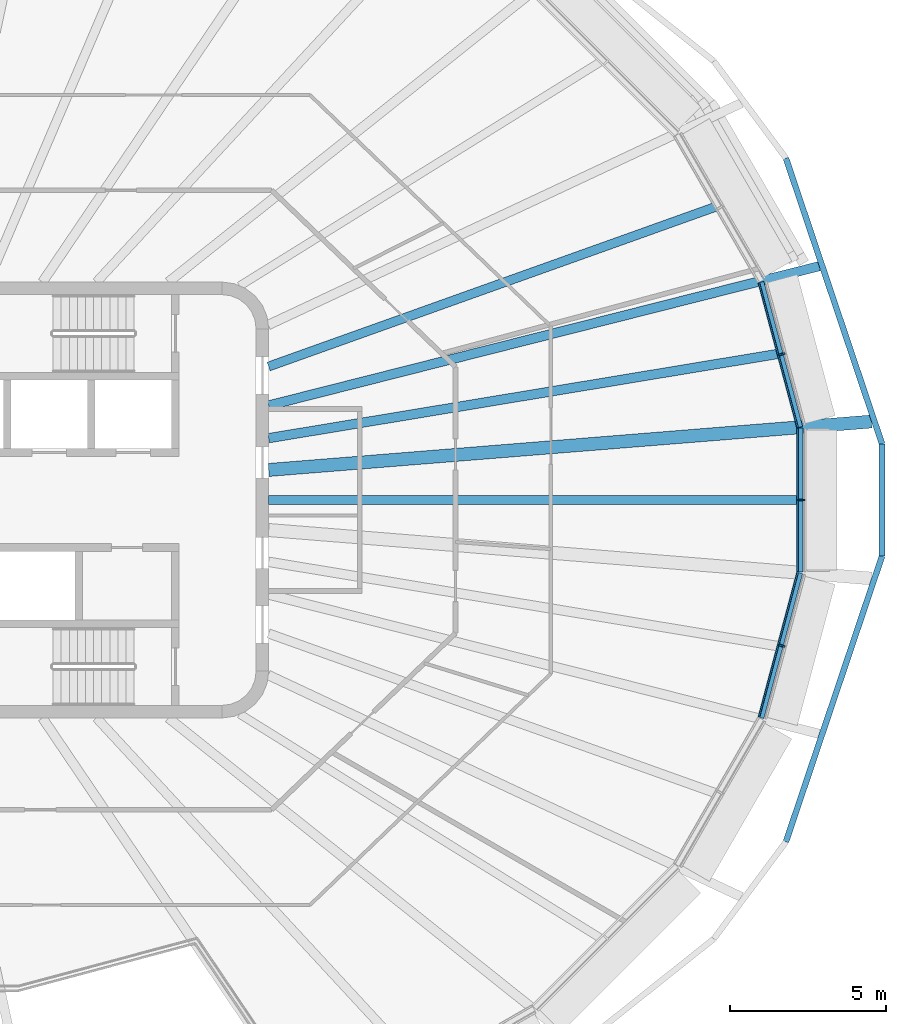
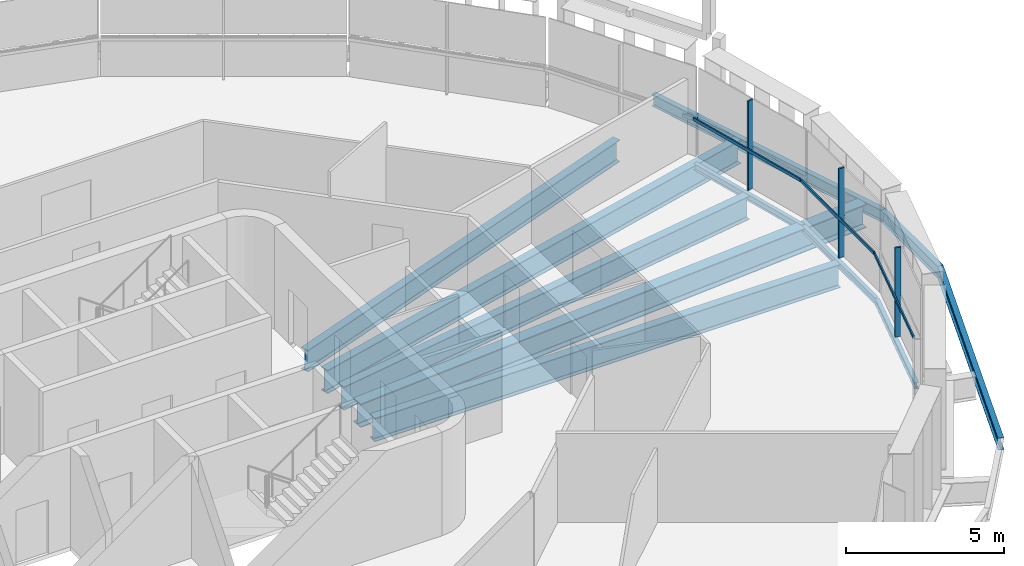
# One storey, part 4 of 19: 11 beams, 6 members, 3 elements without a shape of their own.
"""IFC4 building model written with IfcOpenShell, lengths in metres."""

import ifcopenshell
import ifcopenshell.guid

model = None  # the IFC model being written
_history = None  # IfcOwnerHistory: only IFC2X3 demands one
_inside = {}  # id of a spatial element -> (the spatial element, [elements in it])
_under = {}  # id of a project, library or spatial element -> (it, [spatial elements below it])
_declared = {}  # id of a project -> (the project, [libraries it declares])
_typed = {}  # id of a type object -> (the type object, [elements of that type])
_made_of = {}  # id of a material, layer set ... -> (it, [elements and type objects made of it])


def new_model(schema):
    """Start an empty IFC model of exactly this schema.

    Asked for "IFC4X3", IfcOpenShell would pick the latest addendum, in which some entities
    have other attributes; the version numbers below select the first issue.
    IFC2X3 requires an IfcOwnerHistory on every rooted entity: one is made here for all.
    """
    global model, _history
    if schema == "IFC4X3":
        model = ifcopenshell.file(schema_version=(4, 3, 0, 0))
    else:
        model = ifcopenshell.file(schema=schema)
    _inside.clear()
    _under.clear()
    _declared.clear()
    _typed.clear()
    _made_of.clear()
    _history = None
    if model.schema == "IFC2X3":
        org = make("IfcOrganization", Name="unknown")
        user = make(
            "IfcPersonAndOrganization",
            ThePerson=make("IfcPerson", FamilyName="unknown"),
            TheOrganization=org,
        )
        app = make(
            "IfcApplication",
            ApplicationDeveloper=org,
            Version="unknown",
            ApplicationFullName="unknown",
            ApplicationIdentifier="unknown",
        )
        _history = make(
            "IfcOwnerHistory",
            OwningUser=user,
            OwningApplication=app,
            ChangeAction="ADDED",
            CreationDate=0,
        )
    return model


def make(cls, **values):
    """One entity of the class cls with the attributes given. An attribute that is None is left unset."""
    return model.create_entity(
        cls, **{name: value for name, value in values.items() if value is not None}
    )


def rooted(cls, **values):
    """An entity with a GlobalId (a new one), such as an element, a storey or a relation."""
    return make(cls, GlobalId=ifcopenshell.guid.new(), OwnerHistory=_history, **values)


def si_unit(unit_type, name, prefix=None):
    """IfcSIUnit, for example si_unit("LENGTHUNIT", "METRE", prefix="MILLI")."""
    return make("IfcSIUnit", UnitType=unit_type, Prefix=prefix, Name=name)


def assignment(units):
    """IfcUnitAssignment: the units of a project."""
    return None if units is None else make("IfcUnitAssignment", Units=units)


def point(xyz):
    """IfcCartesianPoint."""
    return None if xyz is None else make("IfcCartesianPoint", Coordinates=xyz)


def direction(xyz):
    """IfcDirection."""
    return None if xyz is None else make("IfcDirection", DirectionRatios=xyz)


def frame(location, z_axis=None, x_axis=None):
    """IfcAxis2Placement3D, a coordinate frame: its origin and axes. An axis left out is left unset."""
    return make(
        "IfcAxis2Placement3D",
        Location=point(location),
        Axis=direction(z_axis),
        RefDirection=direction(x_axis),
    )


def frame_2d(location, x_axis=None):
    """IfcAxis2Placement2D, a coordinate frame in the plane: its origin and x axis."""
    return make(
        "IfcAxis2Placement2D", Location=point(location), RefDirection=direction(x_axis)
    )


def origin():
    """The frame at (0, 0, 0) with its axes left unset."""
    return frame((0.0, 0.0, 0.0))


def origin_2d():
    """The frame at (0, 0) in the plane with its x axis left unset."""
    return frame_2d((0.0, 0.0))


def place(relative_to, where):
    """IfcLocalPlacement: puts the frame where relative to a parent placement (None: the world)."""
    return make(
        "IfcLocalPlacement", PlacementRelTo=relative_to, RelativePlacement=where
    )


def context(
    kind, dimensions, precision=None, world=None, true_north=None, identifier=None
):
    """IfcGeometricRepresentationContext, for example the 3D "Model" context."""
    return make(
        "IfcGeometricRepresentationContext",
        ContextIdentifier=identifier,
        ContextType=kind,
        CoordinateSpaceDimension=dimensions,
        Precision=precision,
        WorldCoordinateSystem=world,
        TrueNorth=true_north,
    )


def subcontext(parent, identifier, kind, view, scale=None):
    """IfcGeometricRepresentationSubContext, for example "Body" below "Model"."""
    return make(
        "IfcGeometricRepresentationSubContext",
        ContextIdentifier=identifier,
        ContextType=kind,
        ParentContext=parent,
        TargetScale=scale,
        TargetView=view,
    )


def project(units=None, contexts=None):
    """IfcProject with its units and contexts."""
    return rooted(
        "IfcProject",
        Name="project",
        RepresentationContexts=contexts,
        UnitsInContext=assignment(units),
    )


def spatial(cls, under=None, at=None, **own):
    """A site, building, storey or space (cls), placed at a placement, below another one or the project."""
    s = rooted(cls, ObjectPlacement=at, **own)
    if under is not None:
        _under.setdefault(under.id(), (under, []))[1].append(s)
    return s


def profile(cls, at=None, kind="AREA", **sizes):
    """A parametric profile (cls). Its sizes go by their IFC names, for example OverallWidth=200.0."""
    return make(cls, ProfileType=kind, Position=at, **sizes)


def rectangle(**sizes):
    """IfcRectangleProfileDef."""
    return profile("IfcRectangleProfileDef", **sizes)


def i_section(**sizes):
    """IfcIShapeProfileDef."""
    return profile("IfcIShapeProfileDef", **sizes)


def extrude(swept, where, along, depth):
    """IfcExtrudedAreaSolid: the profile swept, set in the frame where, extruded along a direction by depth."""
    return make(
        "IfcExtrudedAreaSolid",
        SweptArea=swept,
        Position=where,
        ExtrudedDirection=direction(along),
        Depth=depth,
    )


def shape(context_of_items, identifier, shape_type, items):
    """IfcShapeRepresentation: the items that make up one representation, for example the "Body"."""
    return make(
        "IfcShapeRepresentation",
        ContextOfItems=context_of_items,
        RepresentationIdentifier=identifier,
        RepresentationType=shape_type,
        Items=items,
    )


def material(Name=None, Category=None):
    """IfcMaterial."""
    return make("IfcMaterial", Name=Name, Category=Category)


def layer(
    of_material, thickness, ventilated=None, Name=None, Category=None, Priority=None
):
    """IfcMaterialLayer: one layer of a wall or slab, of a material (None: an air gap)."""
    return make(
        "IfcMaterialLayer",
        Material=of_material,
        LayerThickness=thickness,
        IsVentilated=ventilated,
        Name=Name,
        Category=Category,
        Priority=Priority,
    )


def layer_set(layers, Name=None):
    """IfcMaterialLayerSet."""
    return make("IfcMaterialLayerSet", MaterialLayers=layers, LayerSetName=Name)


def material_profile(
    of_material, cross_section, Name=None, Category=None, Priority=None
):
    """IfcMaterialProfile: a cross section and its material."""
    return make(
        "IfcMaterialProfile",
        Name=Name,
        Material=of_material,
        Profile=cross_section,
        Priority=Priority,
        Category=Category,
    )


def profile_set(profiles, Name=None, composite=None):
    """IfcMaterialProfileSet."""
    return make(
        "IfcMaterialProfileSet",
        Name=Name,
        MaterialProfiles=profiles,
        CompositeProfile=composite,
    )


def made_of(thing, what):
    """Note that an element or type object is made of a material, layer set ...; save() writes the relation."""
    if what is not None:
        _made_of.setdefault(what.id(), (what, []))[1].append(thing)
    return thing


def type_object(cls, material=None, **own):
    """A type object (cls), such as IfcWallType, which elements share."""
    return made_of(rooted(cls, **own), material)


def element(
    cls,
    number,
    at=None,
    inside=None,
    cuts=None,
    type_object=None,
    material=None,
    context=None,
    identifier="Body",
    shape_type=None,
    held_by="IfcProductDefinitionShape",
    body=None,
    shapes=None,
    **own,
):
    """One element of the class cls, such as IfcWall. Its Tag is "e" and its number.

    at: its placement. inside: the storey or other place that contains it. cuts: it is an
    opening in that element (IfcRelVoidsElement). A single representation is given by context,
    identifier, shape_type and body (its items); several are given by shapes. held_by: the class
    of the entity that holds the representations. save() writes the other relations.
    """
    e = rooted(cls, Tag="e%d" % number, ObjectPlacement=at, **own)
    if body is not None:
        shapes = [shape(context, identifier, shape_type, body)]
    if shapes is not None:
        e.Representation = make(held_by, Representations=shapes)
    if inside is not None:
        _inside.setdefault(inside.id(), (inside, []))[1].append(e)
    if cuts is not None:
        rooted(
            "IfcRelVoidsElement", RelatingBuildingElement=cuts, RelatedOpeningElement=e
        )
    if type_object is not None:
        _typed.setdefault(type_object.id(), (type_object, []))[1].append(e)
    return made_of(e, material)


def aggregate(whole, parts):
    """IfcRelAggregates: a whole, such as a stair, and the parts it consists of."""
    return rooted("IfcRelAggregates", RelatingObject=whole, RelatedObjects=parts)


def save(model, path):
    """Write the relations noted so far, then the file.

    IfcRelAggregates (storeys below a building ...), IfcRelContainedInSpatialStructure (elements
    in a storey), IfcRelDefinesByType, IfcRelAssociatesMaterial and IfcRelDeclares: one each for
    every whole, place, type object, material and project.
    """
    for whole, parts in _under.values():
        aggregate(whole, parts)
    for where, things in _inside.values():
        rooted(
            "IfcRelContainedInSpatialStructure",
            RelatedElements=things,
            RelatingStructure=where,
        )
    for kind, things in _typed.values():
        rooted("IfcRelDefinesByType", RelatedObjects=things, RelatingType=kind)
    for what, things in _made_of.values():
        rooted("IfcRelAssociatesMaterial", RelatedObjects=things, RelatingMaterial=what)
    for by, libraries in _declared.values():
        rooted("IfcRelDeclares", RelatingContext=by, RelatedDefinitions=libraries)
    model.write(path)


model = new_model("IFC4")

# Units and contexts
model_context = context("Model", 3, precision=1e-05, world=origin(), true_north=direction((0.0, 1.0)))
body_context = subcontext(model_context, "Body", "Model", "MODEL_VIEW")
ifc_project = project(units=[si_unit("LENGTHUNIT", "METRE"), si_unit("AREAUNIT", "SQUARE_METRE"), si_unit("VOLUMEUNIT", "CUBIC_METRE"), si_unit("PLANEANGLEUNIT", "RADIAN"), si_unit("MASSUNIT", "GRAM", prefix="KILO")], contexts=[model_context])

# Site, building, storey
site_placement = place(None, origin())
site = spatial("IfcSite", under=ifc_project, at=site_placement, CompositionType="ELEMENT")
building_placement = place(site_placement, origin())
building = spatial("IfcBuilding", under=site, at=building_placement, Name="Sahrelin Media Tower", CompositionType="ELEMENT")
storey_placement = place(building_placement, frame((0.0, 0.0, 279.0)))
storey = spatial("IfcBuildingStorey", under=building, at=storey_placement, Name="L61", CompositionType="ELEMENT", Elevation=279.0)

# Beams
ifc_material_1 = material(Name="Steel S355", Category="steel")
ifc_material_profile_1 = material_profile(ifc_material_1, i_section(OverallWidth=0.14599609375, OverallDepth=0.25146484375, WebThickness=0.006103515625, FlangeThickness=0.008544921875, FilletRadius=0.007568359375, at=origin_2d()), Name="UB 254x146x31")
ifc_profile_set_1 = profile_set([ifc_material_profile_1], Name="Steel S355")
beam_type_1 = type_object("IfcBeamType", Name="Edge beam EB1", PredefinedType="BEAM", material=ifc_profile_set_1)
beam_1_placement = place(storey_placement, frame((29.08447265625, 2.3154296875, -0.275634765625), z_axis=(0.0, -1.0, 0.0), x_axis=(1.0, 0.0, 0.0)))
element("IfcBeam", 1, at=beam_1_placement, inside=storey, type_object=beam_type_1, Name="Edge beam L61-01", PredefinedType="BEAM", context=body_context, shape_type="SweptSolid", body=[
    extrude(i_section(OverallWidth=0.14599609375, OverallDepth=0.25146484375, WebThickness=0.006103515625, FlangeThickness=0.008544921875, FilletRadius=0.007568359375, at=origin_2d()), origin(), (0.0, 0.0, 1.0), 4.630859375),
])
for number, where, z_axis, x_axis, name in (
    (2, (29.08056640625, -2.343994140625, -0.275634765625), (-0.258815348478, -0.965926816789, 0.0), (0.965926816789, -0.258815348478, 0.0), "Edge beam L61-02"),
    (3, (27.83203125, 7.003662109375, -0.275634765625), (0.258815348478, -0.965926816789, 0.0), (0.965926816789, 0.258815348478, 0.0), "Edge beam L61-20"),
):
    element("IfcBeam", number, at=place(storey_placement, frame(where, z_axis=z_axis, x_axis=x_axis)), inside=storey, type_object=beam_type_1, Name=name, PredefinedType="BEAM", context=body_context, shape_type="SweptSolid", body=[
        extrude(i_section(OverallWidth=0.14599609375, OverallDepth=0.25146484375, WebThickness=0.006103515625, FlangeThickness=0.008544921875, FilletRadius=0.007568359375, at=origin_2d()), origin(), (0.0, 0.0, 1.0), 4.823974609375),
    ])

# Curtain wall, member
ifc_material_2 = material(Name="Champagne anodised aluminium 6063-T6", Category="aluminium")
ifc_layer = layer(ifc_material_2, 0.14990234375)
ifc_layer_set = layer_set([ifc_layer], Name="Tower ribbon curtain wall")
curtain_wall_type = type_object("IfcCurtainWallType", Name="Tower ribbon curtain wall", PredefinedType="NOTDEFINED", material=ifc_layer_set)
curtain_wall_1_placement = place(storey_placement, frame((29.234375, 0.0, 0.0), z_axis=(0.0, 0.0, 1.0), x_axis=(1.0, 0.0, 0.0)))
curtain_wall_1 = element("IfcCurtainWall", 4, at=curtain_wall_1_placement, inside=storey, type_object=curtain_wall_type, Name="L61:CW:L61-00", PredefinedType="NOTDEFINED")
ifc_material_profile_2 = material_profile(ifc_material_2, rectangle(XDim=0.06005859375, YDim=0.199951171875, at=origin_2d()), Name="Mullion 60x200")
ifc_profile_set_2 = profile_set([ifc_material_profile_2], Name="Champagne anodised aluminium 6063-T6")
member_type_1 = type_object("IfcMemberType", Name="Mullion 60x200 CW1C", PredefinedType="MULLION", material=ifc_profile_set_2)
member_1_placement = place(storey_placement, frame((29.114501953125, 0.0, 0.0), z_axis=(0.0, 0.0, 1.0), x_axis=(0.0, 1.0, 0.0)))
member_1 = element("IfcMember", 5, at=member_1_placement, type_object=member_type_1, Name="L61:CWM:L61-00", PredefinedType="MULLION", context=body_context, shape_type="SweptSolid", body=[
    extrude(rectangle(XDim=0.06005859375, YDim=0.199951171875, at=origin_2d()), origin(), (0.0, 0.0, 1.0), 3.448486328125),
])

curtain_wall_2_placement = place(storey_placement, frame((28.601318359375, 4.712646484375, 0.0), z_axis=(0.0, 0.0, 1.0), x_axis=(1.0, 0.0, 0.0)))
curtain_wall_2 = element("IfcCurtainWall", 6, at=curtain_wall_2_placement, inside=storey, type_object=curtain_wall_type, Name="L61:CW:L61-01", PredefinedType="NOTDEFINED")
member_2_placement = place(storey_placement, frame((28.4853515625, 4.681640625, 0.0), z_axis=(0.0, 0.0, 1.0), x_axis=(-0.25882916024, 0.965923115889, 0.0)))
member_2 = element("IfcMember", 7, at=member_2_placement, type_object=member_type_1, Name="L61:CWM:L61-01", PredefinedType="MULLION", context=body_context, shape_type="SweptSolid", body=[
    extrude(rectangle(XDim=0.06005859375, YDim=0.199951171875, at=origin_2d()), origin(), (0.0, 0.0, 1.0), 3.448486328125),
])

curtain_wall_3_placement = place(storey_placement, frame((28.601318359375, -4.712646484375, 0.0), z_axis=(0.0, 0.0, 1.0), x_axis=(1.0, 0.0, 0.0)))
curtain_wall_3 = element("IfcCurtainWall", 8, at=curtain_wall_3_placement, inside=storey, type_object=curtain_wall_type, Name="L61:CW:L61-23", PredefinedType="NOTDEFINED")
member_3_placement = place(storey_placement, frame((28.4853515625, -4.681640625, 0.0), z_axis=(0.0, 0.0, 1.0), x_axis=(0.25882916024, 0.965923115889, 0.0)))
member_3 = element("IfcMember", 9, at=member_3_placement, type_object=member_type_1, Name="L61:CWM:L61-23", PredefinedType="MULLION", context=body_context, shape_type="SweptSolid", body=[
    extrude(rectangle(XDim=0.06005859375, YDim=0.199951171875, at=origin_2d()), origin(), (0.0, 0.0, 1.0), 3.448486328125),
])

# Beams
ifc_material_profile_3 = material_profile(ifc_material_1, i_section(OverallWidth=0.30322265625, OverallDepth=0.903076171875, WebThickness=0.01513671875, FlangeThickness=0.020263671875, FilletRadius=0.01904296875, at=origin_2d()), Name="UB 914x305x201")
ifc_profile_set_3 = profile_set([ifc_material_profile_3], Name="Steel S355")
beam_type_2 = type_object("IfcBeamType", Name="Radial primary beam PB11", PredefinedType="BEAM", material=ifc_profile_set_3)
beam_2_placement = place(storey_placement, frame((12.0, 3.035888671875, -0.6015625), z_axis=(0.969459095587, 0.245253057033, 0.0), x_axis=(-0.245253057033, 0.969459095587, 0.0)))
element("IfcBeam", 10, at=beam_2_placement, inside=storey, type_object=beam_type_2, Name="Radial beam L61-02", PredefinedType="BEAM", context=body_context, shape_type="SweptSolid", body=[
    extrude(i_section(OverallWidth=0.30322265625, OverallDepth=0.903076171875, WebThickness=0.01513671875, FlangeThickness=0.020263671875, FilletRadius=0.01904296875, at=origin_2d()), origin(), (0.0, 0.0, 1.0), 18.23681640625),
])
ifc_material_profile_4 = material_profile(ifc_material_1, i_section(OverallWidth=0.41845703125, OverallDepth=0.911865234375, WebThickness=0.019287109375, FlangeThickness=0.031982421875, FilletRadius=0.024169921875, at=origin_2d()), Name="UB 914x419x343")
ifc_profile_set_4 = profile_set([ifc_material_profile_4], Name="Steel S355")
beam_type_3 = type_object("IfcBeamType", Name="Radial primary beam PB12", PredefinedType="BEAM", material=ifc_profile_set_4)
beam_3_placement = place(storey_placement, frame((12.0, 0.964599609375, -0.60595703125), z_axis=(0.99678559081, 0.080115453895, 0.0), x_axis=(-0.080115453895, 0.99678559081, 0.0)))
element("IfcBeam", 11, at=beam_3_placement, inside=storey, type_object=beam_type_3, Name="Radial beam L61-01", PredefinedType="BEAM", context=body_context, shape_type="SweptSolid", body=[
    extrude(i_section(OverallWidth=0.41845703125, OverallDepth=0.911865234375, WebThickness=0.019287109375, FlangeThickness=0.031982421875, FilletRadius=0.024169921875, at=origin_2d()), origin(), (0.0, 0.0, 1.0), 19.4208984375),
])
ifc_material_profile_5 = material_profile(ifc_material_1, i_section(OverallWidth=0.291748046875, OverallDepth=0.8349609375, WebThickness=0.013916015625, FlangeThickness=0.018798828125, FilletRadius=0.017822265625, at=origin_2d()), Name="UB 838x292x176")
ifc_profile_set_5 = profile_set([ifc_material_profile_5], Name="Steel S355")
beam_type_4 = type_object("IfcBeamType", Name="Radial secondary beam SB10", PredefinedType="BEAM", material=ifc_profile_set_5)
beam_4_placement = place(storey_placement, frame((12.0, 4.28759765625, -0.5673828125), z_axis=(0.941694777933, 0.336468342066, 0.0), x_axis=(-0.336468342066, 0.941694777933, 0.0)))
element("IfcBeam", 12, at=beam_4_placement, inside=storey, type_object=beam_type_4, Name="Secondary beam L61-02", PredefinedType="BEAM", context=body_context, shape_type="SweptSolid", body=[
    extrude(i_section(OverallWidth=0.291748046875, OverallDepth=0.8349609375, WebThickness=0.013916015625, FlangeThickness=0.018798828125, FilletRadius=0.017822265625, at=origin_2d()), origin(), (0.0, 0.0, 1.0), 15.237548828125),
])
ifc_material_profile_6 = material_profile(ifc_material_1, i_section(OverallWidth=0.30322265625, OverallDepth=0.903076171875, WebThickness=0.01513671875, FlangeThickness=0.020263671875, FilletRadius=0.01904296875, at=origin_2d()), Name="UB 914x305x201")
ifc_profile_set_6 = profile_set([ifc_material_profile_6], Name="Steel S355")
beam_type_5 = type_object("IfcBeamType", Name="Radial secondary beam SB11", PredefinedType="BEAM", material=ifc_profile_set_6)
beam_5_placement = place(storey_placement, frame((12.0, 1.98583984375, -0.6015625), z_axis=(0.986583293342, 0.163258706656, 0.0), x_axis=(-0.163258706656, 0.986583293342, 0.0)))
element("IfcBeam", 13, at=beam_5_placement, inside=storey, type_object=beam_type_5, Name="Secondary beam L61-01", PredefinedType="BEAM", context=body_context, shape_type="SweptSolid", body=[
    extrude(i_section(OverallWidth=0.30322265625, OverallDepth=0.903076171875, WebThickness=0.01513671875, FlangeThickness=0.020263671875, FilletRadius=0.01904296875, at=origin_2d()), origin(), (0.0, 0.0, 1.0), 16.59765625),
])
beam_6_placement = place(storey_placement, frame((12.0, 0.0, -0.6015625), z_axis=(1.0, 0.0, 0.0), x_axis=(0.0, 1.0, 0.0)))
element("IfcBeam", 14, at=beam_6_placement, inside=storey, type_object=beam_type_5, Name="Secondary beam L61-20", PredefinedType="BEAM", context=body_context, shape_type="SweptSolid", body=[
    extrude(i_section(OverallWidth=0.30322265625, OverallDepth=0.903076171875, WebThickness=0.01513671875, FlangeThickness=0.020263671875, FilletRadius=0.01904296875, at=origin_2d()), origin(), (0.0, 0.0, 1.0), 17.011474609375),
])
ifc_material_profile_7 = material_profile(ifc_material_1, i_section(OverallWidth=0.1904296875, OverallDepth=0.45703125, WebThickness=0.009033203125, FlangeThickness=0.014404296875, FilletRadius=0.01025390625, at=origin_2d()), Name="UB 457x191x74")
ifc_profile_set_7 = profile_set([ifc_material_profile_7], Name="Steel S355")
beam_type_6 = type_object("IfcBeamType", Name="Tie chord TC5", PredefinedType="BEAM", material=ifc_profile_set_7)
for number, where, z_axis, x_axis, name in (
    (15, (31.702392578125, 1.796875, -0.37841796875), (-0.318917097398, 0.947782614837, 0.0), (-0.947782614837, -0.318917097398, 0.0), "Tie chord L61-01"),
    (16, (28.61181640625, -10.981689453125, -0.37841796875), (0.318917097398, 0.947782614837, 0.0), (-0.947782614837, 0.318917097398, 0.0), "Tie chord L61-23"),
):
    element("IfcBeam", number, at=place(storey_placement, frame(where, z_axis=z_axis, x_axis=x_axis)), inside=storey, type_object=beam_type_6, Name=name, PredefinedType="BEAM", context=body_context, shape_type="SweptSolid", body=[
        extrude(i_section(OverallWidth=0.1904296875, OverallDepth=0.45703125, WebThickness=0.009033203125, FlangeThickness=0.014404296875, FilletRadius=0.01025390625, at=origin_2d()), origin(), (0.0, 0.0, 1.0), 9.69091796875),
    ])
beam_7_placement = place(storey_placement, frame((31.702392578125, -1.796875, -0.37841796875), z_axis=(0.0, 1.0, 0.0), x_axis=(-1.0, 0.0, 0.0)))
element("IfcBeam", 17, at=beam_7_placement, inside=storey, type_object=beam_type_6, Name="Tie chord L61-24", PredefinedType="BEAM", context=body_context, shape_type="SweptSolid", body=[
    extrude(i_section(OverallWidth=0.1904296875, OverallDepth=0.45703125, WebThickness=0.009033203125, FlangeThickness=0.014404296875, FilletRadius=0.01025390625, at=origin_2d()), origin(), (0.0, 0.0, 1.0), 3.59375),
])

# Member
ifc_material_profile_8 = material_profile(ifc_material_2, rectangle(XDim=0.050048828125, YDim=0.1201171875, at=origin_2d()), Name="Transom 50x120")
ifc_profile_set_8 = profile_set([ifc_material_profile_8], Name="Champagne anodised aluminium 6063-T6")
member_type_2 = type_object("IfcMemberType", Name="Transom 50x120 CW1C", PredefinedType="USERDEFINED", material=ifc_profile_set_8)
member_4_placement = place(storey_placement, frame((28.989501953125, -2.2998046875, 1.60009765625), z_axis=(0.0, 1.0, 0.0), x_axis=(-1.0, 0.0, 0.0)))
member_4 = element("IfcMember", 18, at=member_4_placement, type_object=member_type_2, Name="L61:CWT:L61-00", ObjectType="TRANSOM", PredefinedType="USERDEFINED", context=body_context, shape_type="SweptSolid", body=[
    extrude(rectangle(XDim=0.050048828125, YDim=0.1201171875, at=origin_2d()), origin(), (0.0, 0.0, 1.0), 4.599609375),
])

aggregate(curtain_wall_1, [member_1, member_4])

member_5_placement = place(storey_placement, frame((28.98486328125, 2.334716796875, 1.60009765625), z_axis=(-0.258838787215, 0.96592053619, 0.0), x_axis=(-0.96592053619, -0.258838787215, 0.0)))
member_5 = element("IfcMember", 19, at=member_5_placement, type_object=member_type_2, Name="L61:CWT:L61-01", ObjectType="TRANSOM", PredefinedType="USERDEFINED", context=body_context, shape_type="SweptSolid", body=[
    extrude(rectangle(XDim=0.050048828125, YDim=0.1201171875, at=origin_2d()), origin(), (0.0, 0.0, 1.0), 4.79248046875),
])

aggregate(curtain_wall_2, [member_2, member_5])

member_6_placement = place(storey_placement, frame((27.744384765625, -6.9638671875, 1.60009765625), z_axis=(0.258838787215, 0.96592053619, 0.0), x_axis=(-0.96592053619, 0.258838787215, 0.0)))
member_6 = element("IfcMember", 20, at=member_6_placement, type_object=member_type_2, Name="L61:CWT:L61-23", ObjectType="TRANSOM", PredefinedType="USERDEFINED", context=body_context, shape_type="SweptSolid", body=[
    extrude(rectangle(XDim=0.050048828125, YDim=0.1201171875, at=origin_2d()), origin(), (0.0, 0.0, 1.0), 4.79248046875),
])

aggregate(curtain_wall_3, [member_3, member_6])

save(model, "model.ifc")
